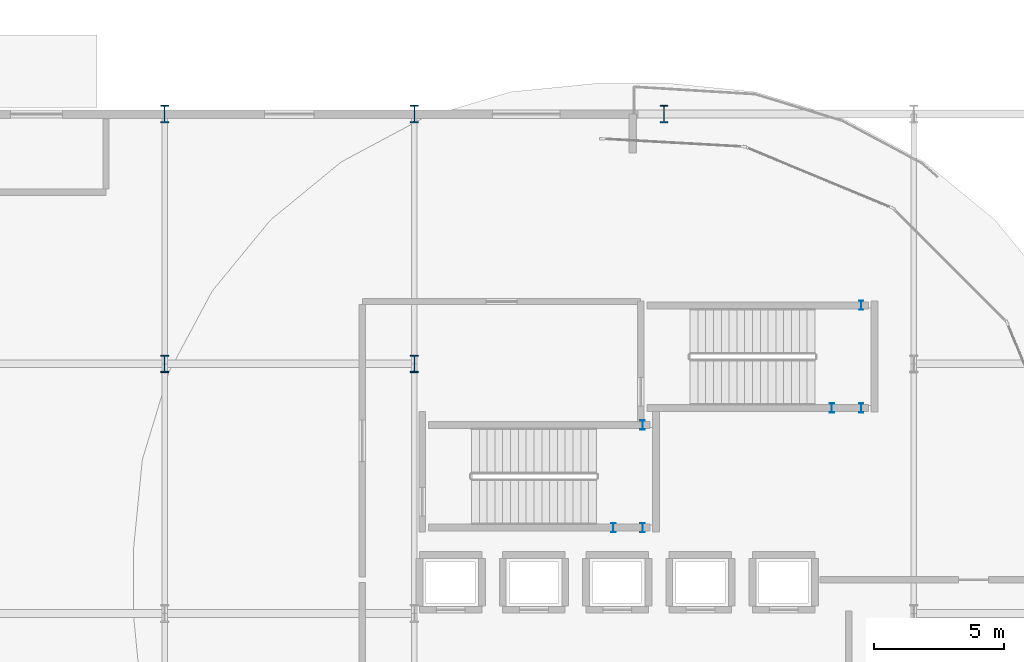
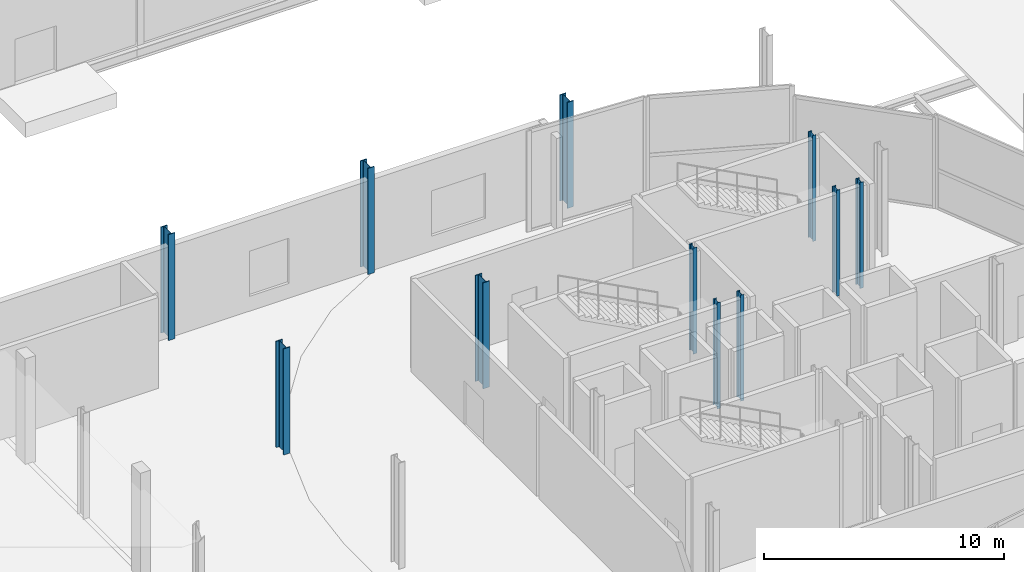
# One storey, part 22 of 84: 11 columns.
"""IFC4 building model written with IfcOpenShell, lengths in metres."""

from ifc_helpers import new_model, si_unit, direction, frame, origin, origin_2d, place, context, subcontext, project, spatial, i_section, extrude, material, material_profile, profile_set, type_object, element, save


model = new_model("IFC4")

# Units and contexts
model_context = context("Model", 3, precision=1e-05, world=origin(), true_north=direction((0.0, 1.0)))
body_context = subcontext(model_context, "Body", "Model", "MODEL_VIEW")
ifc_project = project(units=[si_unit("LENGTHUNIT", "METRE"), si_unit("AREAUNIT", "SQUARE_METRE"), si_unit("VOLUMEUNIT", "CUBIC_METRE"), si_unit("PLANEANGLEUNIT", "RADIAN"), si_unit("MASSUNIT", "GRAM", prefix="KILO")], contexts=[model_context])

# Site, building, storey
site_placement = place(None, origin())
site = spatial("IfcSite", under=ifc_project, at=site_placement, CompositionType="ELEMENT")
building_placement = place(site_placement, origin())
building = spatial("IfcBuilding", under=site, at=building_placement, Name="Zevrakil Square Congress Hotel", CompositionType="ELEMENT")
storey_placement = place(building_placement, origin())
storey = spatial("IfcBuildingStorey", under=building, at=storey_placement, Name="L01", CompositionType="ELEMENT", Elevation=0.0)

# Columns
ifc_material_1 = material(Name="Steel S355", Category="steel")
ifc_material_profile_1 = material_profile(ifc_material_1, i_section(OverallWidth=0.304931640625, OverallDepth=0.66796875, WebThickness=0.02099609375, FlangeThickness=0.0400390625, FilletRadius=0.027099609375, at=origin_2d()), Name="HEM 650")
ifc_profile_set_1 = profile_set([ifc_material_profile_1], Name="Steel S355")
column_type_1 = type_object("IfcColumnType", Name="COL-HEM650", PredefinedType="COLUMN", material=ifc_profile_set_1)
for number, where, z_axis, x_axis, name in (
    (1, (127.199951171875, 36.0, 0.0), (0.0, 0.0, 1.0), (1.0, 0.0, 0.0), "L01 column C-199"),
    (2, (127.199951171875, 45.60009765625, 0.0), (0.0, 0.0, 1.0), (1.0, 0.0, 0.0), "L01 column C-200"),
    (3, (136.800048828125, 36.0, 0.0), (0.0, 0.0, 1.0), (1.0, 0.0, 0.0), "L01 column C-208"),
    (4, (136.800048828125, 45.60009765625, 0.0), (0.0, 0.0, 1.0), (1.0, 0.0, 0.0), "L01 column C-209"),
    (5, (146.39990234375, 45.60009765625, 0.0), (0.0, 0.0, 1.0), (1.0, 0.0, 0.0), "L01 column C-216"),
):
    element("IfcColumn", number, at=place(storey_placement, frame(where, z_axis=z_axis, x_axis=x_axis)), inside=storey, type_object=column_type_1, Name=name, PredefinedType="COLUMN", context=body_context, shape_type="SweptSolid", body=[
        extrude(i_section(OverallWidth=0.304931640625, OverallDepth=0.66796875, WebThickness=0.02099609375, FlangeThickness=0.0400390625, FilletRadius=0.027099609375, at=origin_2d()), origin(), (0.0, 0.0, 1.0), 5.39990234375),
    ])
ifc_material_2 = material(Name="Steel S355", Category="steel")
ifc_material_profile_2 = material_profile(ifc_material_2, i_section(OverallWidth=0.169921875, OverallDepth=0.360107421875, WebThickness=0.008056640625, FlangeThickness=0.0126953125, FilletRadius=0.01806640625, at=origin_2d()), Name="IPE 360")
ifc_profile_set_2 = profile_set([ifc_material_profile_2], Name="Steel S355")
column_type_2 = type_object("IfcColumnType", Name="COL-PILASTER-SHS180", PredefinedType="PILASTER", material=ifc_profile_set_2)
for number, where, z_axis, x_axis, name in (
    (6, (144.449951171875, 29.699951171875, 0.0), (0.0, 0.0, 1.0), (1.0, 0.0, 0.0), "L01 ST02 stair shaft post 1"),
    (7, (145.580078125, 29.699951171875, 0.0), (0.0, 0.0, 1.0), (1.0, 0.0, 0.0), "L01 ST02 stair shaft post 2"),
    (8, (145.580078125, 33.64990234375, 0.0), (0.0, 0.0, 1.0), (1.0, 0.0, 0.0), "L01 ST02 stair shaft post 3"),
    (9, (152.85009765625, 34.300048828125, 0.0), (0.0, 0.0, 1.0), (1.0, 0.0, 0.0), "L01 ST03 stair shaft post 1"),
    (10, (153.97998046875, 34.300048828125, 0.0), (0.0, 0.0, 1.0), (1.0, 0.0, 0.0), "L01 ST03 stair shaft post 2"),
    (11, (153.97998046875, 38.25, 0.0), (0.0, 0.0, 1.0), (1.0, 0.0, 0.0), "L01 ST03 stair shaft post 3"),
):
    element("IfcColumn", number, at=place(storey_placement, frame(where, z_axis=z_axis, x_axis=x_axis)), inside=storey, type_object=column_type_2, Name=name, PredefinedType="PILASTER", context=body_context, shape_type="SweptSolid", body=[
        extrude(i_section(OverallWidth=0.169921875, OverallDepth=0.360107421875, WebThickness=0.008056640625, FlangeThickness=0.0126953125, FilletRadius=0.01806640625, at=origin_2d()), origin(), (0.0, 0.0, 1.0), 5.39990234375),
    ])

save(model, "model.ifc")
